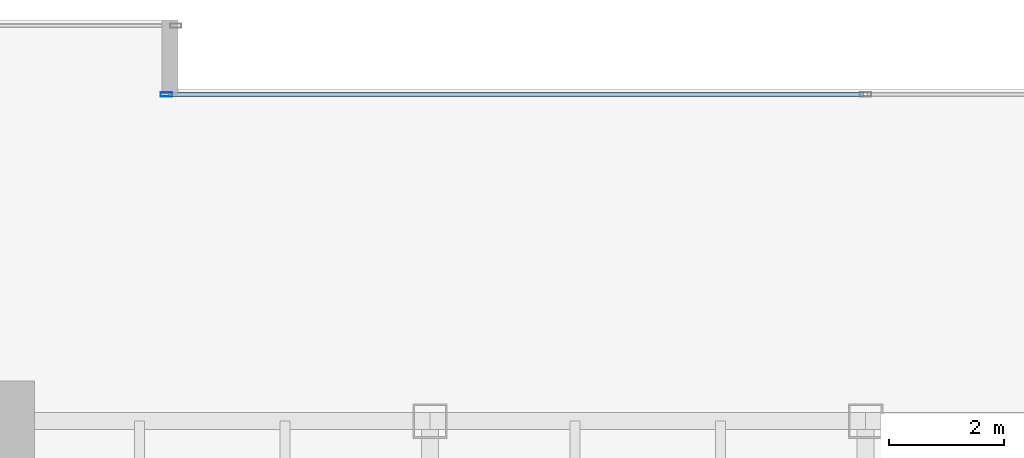
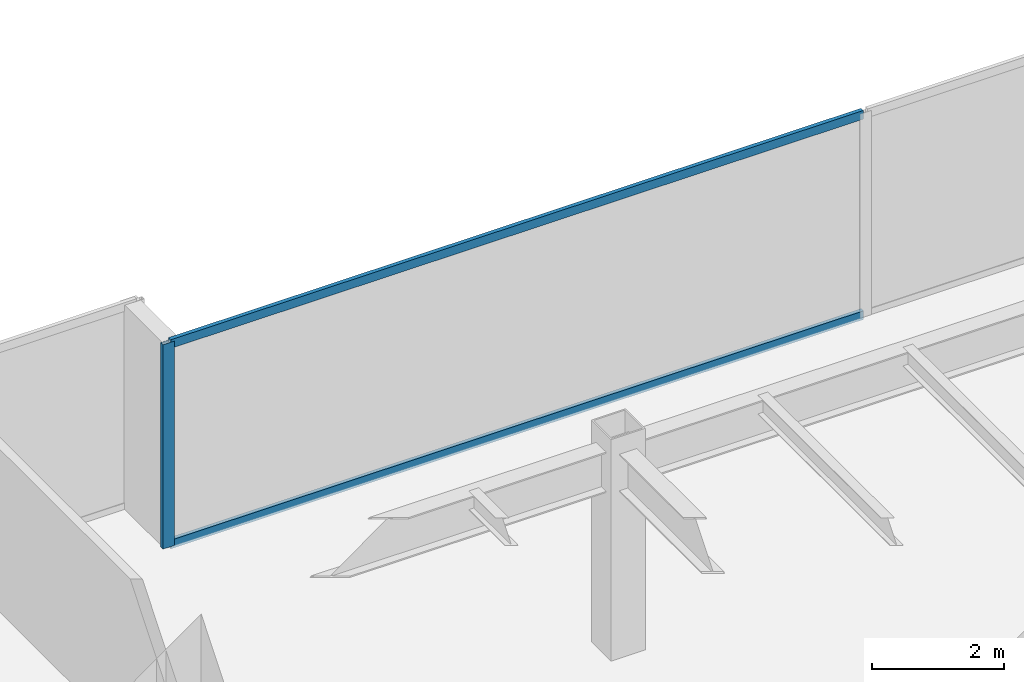
# One storey, part 14 of 35: 3 members, 1 element without a shape of its own.
"""IFC4 building model written with IfcOpenShell, lengths in metres."""

import ifcopenshell
import ifcopenshell.guid

model = None  # the IFC model being written
_history = None  # IfcOwnerHistory: only IFC2X3 demands one
_inside = {}  # id of a spatial element -> (the spatial element, [elements in it])
_under = {}  # id of a project, library or spatial element -> (it, [spatial elements below it])
_declared = {}  # id of a project -> (the project, [libraries it declares])
_typed = {}  # id of a type object -> (the type object, [elements of that type])
_made_of = {}  # id of a material, layer set ... -> (it, [elements and type objects made of it])


def new_model(schema):
    """Start an empty IFC model of exactly this schema.

    Asked for "IFC4X3", IfcOpenShell would pick the latest addendum, in which some entities
    have other attributes; the version numbers below select the first issue.
    IFC2X3 requires an IfcOwnerHistory on every rooted entity: one is made here for all.
    """
    global model, _history
    if schema == "IFC4X3":
        model = ifcopenshell.file(schema_version=(4, 3, 0, 0))
    else:
        model = ifcopenshell.file(schema=schema)
    _inside.clear()
    _under.clear()
    _declared.clear()
    _typed.clear()
    _made_of.clear()
    _history = None
    if model.schema == "IFC2X3":
        org = make("IfcOrganization", Name="unknown")
        user = make(
            "IfcPersonAndOrganization",
            ThePerson=make("IfcPerson", FamilyName="unknown"),
            TheOrganization=org,
        )
        app = make(
            "IfcApplication",
            ApplicationDeveloper=org,
            Version="unknown",
            ApplicationFullName="unknown",
            ApplicationIdentifier="unknown",
        )
        _history = make(
            "IfcOwnerHistory",
            OwningUser=user,
            OwningApplication=app,
            ChangeAction="ADDED",
            CreationDate=0,
        )
    return model


def make(cls, **values):
    """One entity of the class cls with the attributes given. An attribute that is None is left unset."""
    return model.create_entity(
        cls, **{name: value for name, value in values.items() if value is not None}
    )


def rooted(cls, **values):
    """An entity with a GlobalId (a new one), such as an element, a storey or a relation."""
    return make(cls, GlobalId=ifcopenshell.guid.new(), OwnerHistory=_history, **values)


def si_unit(unit_type, name, prefix=None):
    """IfcSIUnit, for example si_unit("LENGTHUNIT", "METRE", prefix="MILLI")."""
    return make("IfcSIUnit", UnitType=unit_type, Prefix=prefix, Name=name)


def assignment(units):
    """IfcUnitAssignment: the units of a project."""
    return None if units is None else make("IfcUnitAssignment", Units=units)


def point(xyz):
    """IfcCartesianPoint."""
    return None if xyz is None else make("IfcCartesianPoint", Coordinates=xyz)


def direction(xyz):
    """IfcDirection."""
    return None if xyz is None else make("IfcDirection", DirectionRatios=xyz)


def frame(location, z_axis=None, x_axis=None):
    """IfcAxis2Placement3D, a coordinate frame: its origin and axes. An axis left out is left unset."""
    return make(
        "IfcAxis2Placement3D",
        Location=point(location),
        Axis=direction(z_axis),
        RefDirection=direction(x_axis),
    )


def frame_2d(location, x_axis=None):
    """IfcAxis2Placement2D, a coordinate frame in the plane: its origin and x axis."""
    return make(
        "IfcAxis2Placement2D", Location=point(location), RefDirection=direction(x_axis)
    )


def origin():
    """The frame at (0, 0, 0) with its axes left unset."""
    return frame((0.0, 0.0, 0.0))


def origin_2d():
    """The frame at (0, 0) in the plane with its x axis left unset."""
    return frame_2d((0.0, 0.0))


def place(relative_to, where):
    """IfcLocalPlacement: puts the frame where relative to a parent placement (None: the world)."""
    return make(
        "IfcLocalPlacement", PlacementRelTo=relative_to, RelativePlacement=where
    )


def context(
    kind, dimensions, precision=None, world=None, true_north=None, identifier=None
):
    """IfcGeometricRepresentationContext, for example the 3D "Model" context."""
    return make(
        "IfcGeometricRepresentationContext",
        ContextIdentifier=identifier,
        ContextType=kind,
        CoordinateSpaceDimension=dimensions,
        Precision=precision,
        WorldCoordinateSystem=world,
        TrueNorth=true_north,
    )


def subcontext(parent, identifier, kind, view, scale=None):
    """IfcGeometricRepresentationSubContext, for example "Body" below "Model"."""
    return make(
        "IfcGeometricRepresentationSubContext",
        ContextIdentifier=identifier,
        ContextType=kind,
        ParentContext=parent,
        TargetScale=scale,
        TargetView=view,
    )


def project(units=None, contexts=None):
    """IfcProject with its units and contexts."""
    return rooted(
        "IfcProject",
        Name="project",
        RepresentationContexts=contexts,
        UnitsInContext=assignment(units),
    )


def spatial(cls, under=None, at=None, **own):
    """A site, building, storey or space (cls), placed at a placement, below another one or the project."""
    s = rooted(cls, ObjectPlacement=at, **own)
    if under is not None:
        _under.setdefault(under.id(), (under, []))[1].append(s)
    return s


def profile(cls, at=None, kind="AREA", **sizes):
    """A parametric profile (cls). Its sizes go by their IFC names, for example OverallWidth=200.0."""
    return make(cls, ProfileType=kind, Position=at, **sizes)


def hollow_rectangle(**sizes):
    """IfcRectangleHollowProfileDef."""
    return profile("IfcRectangleHollowProfileDef", **sizes)


def extrude(swept, where, along, depth):
    """IfcExtrudedAreaSolid: the profile swept, set in the frame where, extruded along a direction by depth."""
    return make(
        "IfcExtrudedAreaSolid",
        SweptArea=swept,
        Position=where,
        ExtrudedDirection=direction(along),
        Depth=depth,
    )


def shape(context_of_items, identifier, shape_type, items):
    """IfcShapeRepresentation: the items that make up one representation, for example the "Body"."""
    return make(
        "IfcShapeRepresentation",
        ContextOfItems=context_of_items,
        RepresentationIdentifier=identifier,
        RepresentationType=shape_type,
        Items=items,
    )


def source(mapping_origin, context_of_items, identifier, shape_type, items):
    """IfcRepresentationMap: a shape defined once, which mapped items show again and again."""
    return make(
        "IfcRepresentationMap",
        MappingOrigin=mapping_origin,
        MappedRepresentation=shape(context_of_items, identifier, shape_type, items),
    )


def transform(
    local_origin,
    x_axis=None,
    y_axis=None,
    z_axis=None,
    scale=None,
    scale2=None,
    scale3=None,
    uniform=True,
):
    """IfcCartesianTransformationOperator3D, or its non-uniform kind. x_axis, y_axis, z_axis: its Axis1, 2, 3."""
    if uniform:
        return make(
            "IfcCartesianTransformationOperator3D",
            Axis1=direction(x_axis),
            Axis2=direction(y_axis),
            LocalOrigin=point(local_origin),
            Scale=scale,
            Axis3=direction(z_axis),
        )
    return make(
        "IfcCartesianTransformationOperator3DnonUniform",
        Axis1=direction(x_axis),
        Axis2=direction(y_axis),
        LocalOrigin=point(local_origin),
        Scale=scale,
        Axis3=direction(z_axis),
        Scale2=scale2,
        Scale3=scale3,
    )


def mapped(mapping_source, mapping_target):
    """IfcMappedItem: shows the shape of a source again, moved by a transform."""
    return make(
        "IfcMappedItem", MappingSource=mapping_source, MappingTarget=mapping_target
    )


def material(Name=None, Category=None):
    """IfcMaterial."""
    return make("IfcMaterial", Name=Name, Category=Category)


def layer(
    of_material, thickness, ventilated=None, Name=None, Category=None, Priority=None
):
    """IfcMaterialLayer: one layer of a wall or slab, of a material (None: an air gap)."""
    return make(
        "IfcMaterialLayer",
        Material=of_material,
        LayerThickness=thickness,
        IsVentilated=ventilated,
        Name=Name,
        Category=Category,
        Priority=Priority,
    )


def layer_set(layers, Name=None):
    """IfcMaterialLayerSet."""
    return make("IfcMaterialLayerSet", MaterialLayers=layers, LayerSetName=Name)


def material_profile(
    of_material, cross_section, Name=None, Category=None, Priority=None
):
    """IfcMaterialProfile: a cross section and its material."""
    return make(
        "IfcMaterialProfile",
        Name=Name,
        Material=of_material,
        Profile=cross_section,
        Priority=Priority,
        Category=Category,
    )


def profile_set(profiles, Name=None, composite=None):
    """IfcMaterialProfileSet."""
    return make(
        "IfcMaterialProfileSet",
        Name=Name,
        MaterialProfiles=profiles,
        CompositeProfile=composite,
    )


def made_of(thing, what):
    """Note that an element or type object is made of a material, layer set ...; save() writes the relation."""
    if what is not None:
        _made_of.setdefault(what.id(), (what, []))[1].append(thing)
    return thing


def type_object(cls, material=None, **own):
    """A type object (cls), such as IfcWallType, which elements share."""
    return made_of(rooted(cls, **own), material)


def type_shapes(of_type, sources):
    """Give a type object the sources (RepresentationMaps) that its elements show as mapped items."""
    of_type.RepresentationMaps = sources


def element(
    cls,
    number,
    at=None,
    inside=None,
    cuts=None,
    type_object=None,
    material=None,
    context=None,
    identifier="Body",
    shape_type=None,
    held_by="IfcProductDefinitionShape",
    body=None,
    shapes=None,
    **own,
):
    """One element of the class cls, such as IfcWall. Its Tag is "e" and its number.

    at: its placement. inside: the storey or other place that contains it. cuts: it is an
    opening in that element (IfcRelVoidsElement). A single representation is given by context,
    identifier, shape_type and body (its items); several are given by shapes. held_by: the class
    of the entity that holds the representations. save() writes the other relations.
    """
    e = rooted(cls, Tag="e%d" % number, ObjectPlacement=at, **own)
    if body is not None:
        shapes = [shape(context, identifier, shape_type, body)]
    if shapes is not None:
        e.Representation = make(held_by, Representations=shapes)
    if inside is not None:
        _inside.setdefault(inside.id(), (inside, []))[1].append(e)
    if cuts is not None:
        rooted(
            "IfcRelVoidsElement", RelatingBuildingElement=cuts, RelatedOpeningElement=e
        )
    if type_object is not None:
        _typed.setdefault(type_object.id(), (type_object, []))[1].append(e)
    return made_of(e, material)


def aggregate(whole, parts):
    """IfcRelAggregates: a whole, such as a stair, and the parts it consists of."""
    return rooted("IfcRelAggregates", RelatingObject=whole, RelatedObjects=parts)


def save(model, path):
    """Write the relations noted so far, then the file.

    IfcRelAggregates (storeys below a building ...), IfcRelContainedInSpatialStructure (elements
    in a storey), IfcRelDefinesByType, IfcRelAssociatesMaterial and IfcRelDeclares: one each for
    every whole, place, type object, material and project.
    """
    for whole, parts in _under.values():
        aggregate(whole, parts)
    for where, things in _inside.values():
        rooted(
            "IfcRelContainedInSpatialStructure",
            RelatedElements=things,
            RelatingStructure=where,
        )
    for kind, things in _typed.values():
        rooted("IfcRelDefinesByType", RelatedObjects=things, RelatingType=kind)
    for what, things in _made_of.values():
        rooted("IfcRelAssociatesMaterial", RelatedObjects=things, RelatingMaterial=what)
    for by, libraries in _declared.values():
        rooted("IfcRelDeclares", RelatingContext=by, RelatedDefinitions=libraries)
    model.write(path)


model = new_model("IFC4")

# Units and contexts
model_context = context("Model", 3, precision=1e-05, world=origin(), true_north=direction((0.0, 1.0)))
body_context = subcontext(model_context, "Body", "Model", "MODEL_VIEW")
ifc_project = project(units=[si_unit("LENGTHUNIT", "METRE"), si_unit("AREAUNIT", "SQUARE_METRE"), si_unit("VOLUMEUNIT", "CUBIC_METRE"), si_unit("PLANEANGLEUNIT", "RADIAN"), si_unit("MASSUNIT", "GRAM", prefix="KILO")], contexts=[model_context])

# Site, building, storey
site_placement = place(None, origin())
site = spatial("IfcSite", under=ifc_project, at=site_placement, CompositionType="ELEMENT")
building_placement = place(site_placement, origin())
building = spatial("IfcBuilding", under=site, at=building_placement, Name="Haelvirn Gate Laboratories", CompositionType="ELEMENT")
storey_placement = place(building_placement, frame((0.0, 0.0, 41.60009765625)))
storey = spatial("IfcBuildingStorey", under=building, at=storey_placement, Name="L10", CompositionType="ELEMENT", Elevation=41.60009765625)

# Curtain wall, members
ifc_material_1 = material(Name="Anodised bronze unitised aluminium & triple low-E glass", Category="aluminium")
ifc_layer = layer(ifc_material_1, 0.18408203125, Name="CW-SYS-2")
ifc_layer_set = layer_set([ifc_layer], Name="Anodised bronze unitised aluminium & triple low-E glass")
curtain_wall_type = type_object("IfcCurtainWallType", Name="CW-SYS-2", PredefinedType="NOTDEFINED", material=ifc_layer_set)
curtain_wall_placement = place(storey_placement, origin())
curtain_wall = element("IfcCurtainWall", 1, at=curtain_wall_placement, inside=storey, type_object=curtain_wall_type, Name="L10 Unitised Curtain Wall CW-L10-P0-E12-1", PredefinedType="NOTDEFINED")
ifc_material_2 = material(Name="Extruded aluminium 6063-T6 (anodised bronze)", Category="aluminium")
ifc_material_profile_1 = material_profile(ifc_material_2, hollow_rectangle(XDim=0.070068359375, YDim=0.159912109375, WallThickness=0.0048828125, at=origin_2d()), Name="CWT-160x70x5")
ifc_profile_set_1 = profile_set([ifc_material_profile_1], Name="Extruded aluminium 6063-T6 (anodised bronze)")
member_type_1 = type_object("IfcMemberType", Name="CWT-T160", PredefinedType="USERDEFINED", material=ifc_profile_set_1)
shared_shape_1 = source(origin(), body_context, "Body", "SweptSolid", [
    extrude(hollow_rectangle(XDim=0.070068359375, YDim=0.159912109375, WallThickness=0.0048828125, at=origin_2d()), origin(), (0.0, 0.0, 1.0), 12.12744140625),
])
type_shapes(member_type_1, [shared_shape_1])
member_1_placement = place(storey_placement, frame((25.235107421875, 47.300048828125, 0.034912109375), z_axis=(1.0, 0.0, 0.0), x_axis=(0.0, 1.0, 0.0)))
member_1 = element("IfcMember", 2, at=member_1_placement, type_object=member_type_1, Name="CW2 transom 1.1", ObjectType="TRANSOM", PredefinedType="USERDEFINED", context=body_context, shape_type="MappedRepresentation", body=[
    mapped(shared_shape_1, transform((0.0, 0.0, 0.0), scale=1.0)),
])
member_2_placement = place(storey_placement, frame((25.235107421875, 47.300048828125, 3.744873046875), z_axis=(1.0, 0.0, 0.0), x_axis=(0.0, 1.0, 0.0)))
member_2 = element("IfcMember", 3, at=member_2_placement, type_object=member_type_1, Name="CW2 transom 1.2", ObjectType="TRANSOM", PredefinedType="USERDEFINED", context=body_context, shape_type="MappedRepresentation", body=[
    mapped(shared_shape_1, transform((0.0, 0.0, 0.0), scale=1.0)),
])
ifc_material_profile_2 = material_profile(ifc_material_2, hollow_rectangle(XDim=0.074951171875, YDim=0.199951171875, WallThickness=0.0048828125, at=origin_2d()), Name="CWM-200x75x5")
ifc_profile_set_2 = profile_set([ifc_material_profile_2], Name="Extruded aluminium 6063-T6 (anodised bronze)")
member_type_2 = type_object("IfcMemberType", Name="CWM-T200", PredefinedType="MULLION", material=ifc_profile_set_2)
shared_shape_2 = source(origin(), body_context, "Body", "SweptSolid", [
    extrude(hollow_rectangle(XDim=0.074951171875, YDim=0.199951171875, WallThickness=0.0048828125, at=origin_2d()), origin(), (0.0, 0.0, 1.0), 3.77978515625),
])
type_shapes(member_type_2, [shared_shape_2])
member_3_placement = place(storey_placement, frame((25.197509765625, 47.300048828125, 0.0), z_axis=(0.0, 0.0, 1.0), x_axis=(0.0, 1.0, 0.0)))
member_3 = element("IfcMember", 4, at=member_3_placement, type_object=member_type_2, Name="CW2 mullion 1", PredefinedType="MULLION", context=body_context, shape_type="MappedRepresentation", body=[
    mapped(shared_shape_2, transform((0.0, 0.0, 0.0), scale=1.0)),
])
aggregate(curtain_wall, [member_3, member_1, member_2])

save(model, "model.ifc")
